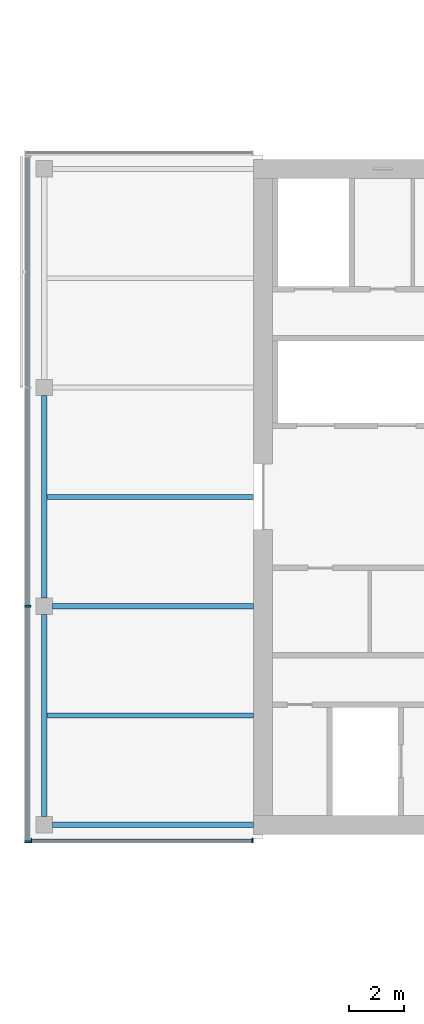
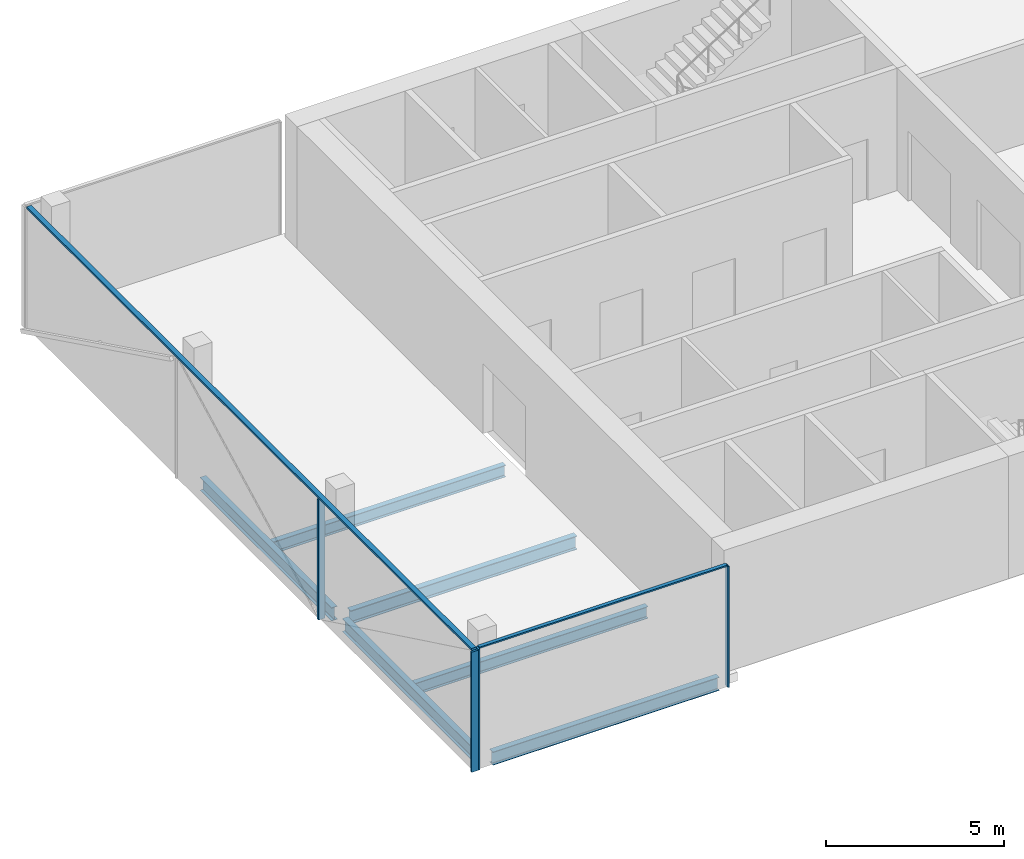
# One storey, part 3 of 22: 6 beams, 6 members, 2 elements without a shape of their own.
"""IFC4 building model written with IfcOpenShell, lengths in metres."""

from ifc_helpers import new_model, si_unit, direction, frame, origin, origin_2d, place, context, subcontext, project, spatial, rectangle, i_section, extrude, material, material_profile, profile_set, type_object, element, aggregate, save


model = new_model("IFC4")

# Units and contexts
model_context = context("Model", 3, precision=1e-05, world=origin(), true_north=direction((0.0, 1.0)))
body_context = subcontext(model_context, "Body", "Model", "MODEL_VIEW")
ifc_project = project(units=[si_unit("LENGTHUNIT", "METRE"), si_unit("AREAUNIT", "SQUARE_METRE"), si_unit("VOLUMEUNIT", "CUBIC_METRE"), si_unit("PLANEANGLEUNIT", "RADIAN"), si_unit("MASSUNIT", "GRAM", prefix="KILO")], contexts=[model_context])

# Site, building, storey
site_placement = place(None, origin())
site = spatial("IfcSite", under=ifc_project, at=site_placement, CompositionType="ELEMENT")
building_placement = place(site_placement, origin())
building = spatial("IfcBuilding", under=site, at=building_placement, Name="Crosswind Convention Tower", CompositionType="ELEMENT")
storey_placement = place(building_placement, frame((0.0, 0.0, 116.89990234375)))
storey = spatial("IfcBuildingStorey", under=building, at=storey_placement, Name="L23", CompositionType="ELEMENT", Elevation=116.89990234375)

# Beams
ifc_material_1 = material(Name="Steel S355", Category="steel")
ifc_material_profile_1 = material_profile(ifc_material_1, i_section(OverallWidth=0.18994140625, OverallDepth=0.45361328125, WebThickness=0.008544921875, FlangeThickness=0.0126953125, FilletRadius=0.01025390625, at=origin_2d()), Name="UB 457x191x67")
ifc_profile_set_1 = profile_set([ifc_material_profile_1], Name="Steel S355")
beam_type_1 = type_object("IfcBeamType", Name="Edge beam UB 457x191x67", PredefinedType="SPANDREL", material=ifc_profile_set_1)
for number, where, z_axis, x_axis, name in (
    (1, (89.0, 88.300048828125, -0.526611328125), (0.0, 1.0, 0.0), (-1.0, 0.0, 0.0), "B16 L23 edge beam 1"),
    (2, (89.0, 96.300048828125, -0.526611328125), (0.0, 1.0, 0.0), (-1.0, 0.0, 0.0), "B16 L23 edge beam 2"),
):
    element("IfcBeam", number, at=place(storey_placement, frame(where, z_axis=z_axis, x_axis=x_axis)), inside=storey, type_object=beam_type_1, Name=name, PredefinedType="SPANDREL", context=body_context, shape_type="SweptSolid", body=[
        extrude(i_section(OverallWidth=0.18994140625, OverallDepth=0.45361328125, WebThickness=0.008544921875, FlangeThickness=0.0126953125, FilletRadius=0.01025390625, at=origin_2d()), origin(), (0.0, 0.0, 1.0), 7.39990234375),
    ])
beam_1_placement = place(storey_placement, frame((89.300048828125, 88.0, -0.526611328125), z_axis=(1.0, 0.0, 0.0), x_axis=(0.0, 1.0, 0.0)))
element("IfcBeam", 3, at=beam_1_placement, inside=storey, type_object=beam_type_1, Name="B16 L23 edge beam 4", PredefinedType="SPANDREL", context=body_context, shape_type="SweptSolid", body=[
    extrude(i_section(OverallWidth=0.18994140625, OverallDepth=0.45361328125, WebThickness=0.008544921875, FlangeThickness=0.0126953125, FilletRadius=0.01025390625, at=origin_2d()), origin(), (0.0, 0.0, 1.0), 7.349853515625),
])
ifc_material_profile_2 = material_profile(ifc_material_1, i_section(OverallWidth=0.19189453125, OverallDepth=0.463623046875, WebThickness=0.010498046875, FlangeThickness=0.017578125, FilletRadius=0.01025390625, at=origin_2d()), Name="UB 457x191x90")
ifc_profile_set_2 = profile_set([ifc_material_profile_2], Name="Steel S355")
beam_type_2 = type_object("IfcBeamType", Name="Girder at core wall UB 457x191x90", PredefinedType="BEAM", material=ifc_profile_set_2)
beam_2_placement = place(storey_placement, frame((89.300048828125, 96.0, -0.53173828125), z_axis=(1.0, 0.0, 0.0), x_axis=(0.0, 1.0, 0.0)))
element("IfcBeam", 4, at=beam_2_placement, inside=storey, type_object=beam_type_2, Name="B24 L23 girder at core wall 1", PredefinedType="BEAM", context=body_context, shape_type="SweptSolid", body=[
    extrude(i_section(OverallWidth=0.19189453125, OverallDepth=0.463623046875, WebThickness=0.010498046875, FlangeThickness=0.017578125, FilletRadius=0.01025390625, at=origin_2d()), origin(), (0.0, 0.0, 1.0), 7.349853515625),
])

# Curtain wall, members
ifc_material_2 = material(Name="Aluminium unitised curtain wall", Category="aluminium")
curtain_wall_type_1 = type_object("IfcCurtainWallType", Name="CORE END SLOT WALL 160", PredefinedType="USERDEFINED", material=ifc_material_2)
curtain_wall_1_placement = place(storey_placement, origin())
curtain_wall_1 = element("IfcCurtainWall", 5, at=curtain_wall_1_placement, inside=storey, type_object=curtain_wall_type_1, Name="CW6 L23 W-S.1-1 slot", ObjectType="UNITISED", PredefinedType="USERDEFINED")
ifc_material_3 = material(Name="Aluminium mullion", Category="aluminium")
ifc_material_profile_3 = material_profile(ifc_material_3, rectangle(XDim=0.159912109375, YDim=0.050048828125, at=origin_2d()), Name="AL 160X50")
ifc_profile_set_3 = profile_set([ifc_material_profile_3], Name="Aluminium mullion")
member_type_1 = type_object("IfcMemberType", Name="MULLION 50X160", PredefinedType="MULLION", material=ifc_profile_set_3)
member_1_placement = place(storey_placement, frame((88.52490234375, 87.419921875, -0.2998046875), z_axis=(0.0, 0.0, 1.0), x_axis=(0.0, -1.0, 0.0)))
member_1 = element("IfcMember", 6, at=member_1_placement, type_object=member_type_1, Name="CW6 mullion 1", PredefinedType="MULLION", context=body_context, shape_type="SweptSolid", body=[
    extrude(rectangle(XDim=0.159912109375, YDim=0.050048828125, at=origin_2d()), origin(), (0.0, 0.0, 1.0), 4.14990234375),
])
member_2_placement = place(storey_placement, frame((96.625, 87.419921875, -0.2998046875), z_axis=(0.0, 0.0, 1.0), x_axis=(0.0, -1.0, 0.0)))
member_2 = element("IfcMember", 7, at=member_2_placement, type_object=member_type_1, Name="CW6 mullion 2", PredefinedType="MULLION", context=body_context, shape_type="SweptSolid", body=[
    extrude(rectangle(XDim=0.159912109375, YDim=0.050048828125, at=origin_2d()), origin(), (0.0, 0.0, 1.0), 4.14990234375),
])

curtain_wall_type_2 = type_object("IfcCurtainWallType", Name="OFFICE UNITISED WALL 220", PredefinedType="USERDEFINED", material=ifc_material_2)
curtain_wall_2_placement = place(storey_placement, origin())
curtain_wall_2 = element("IfcCurtainWall", 8, at=curtain_wall_2_placement, inside=storey, type_object=curtain_wall_type_2, Name="CW3 L23 W-TIP 1", ObjectType="UNITISED", PredefinedType="USERDEFINED")
ifc_material_profile_4 = material_profile(ifc_material_3, rectangle(XDim=0.219970703125, YDim=0.070068359375, at=origin_2d()), Name="AL 220X70")
ifc_profile_set_4 = profile_set([ifc_material_profile_4], Name="Aluminium mullion")
member_type_2 = type_object("IfcMemberType", Name="MULLION 70X220", PredefinedType="MULLION", material=ifc_profile_set_4)
member_3_placement = place(storey_placement, frame((88.389892578125, 96.0, -0.2998046875), z_axis=(0.0, 0.0, 1.0), x_axis=(-1.0, 0.0, 0.0)))
member_3 = element("IfcMember", 9, at=member_3_placement, type_object=member_type_2, Name="CW3 mullion 3", PredefinedType="MULLION", context=body_context, shape_type="SweptSolid", body=[
    extrude(rectangle(XDim=0.219970703125, YDim=0.070068359375, at=origin_2d()), origin(), (0.0, 0.0, 1.0), 4.1298828125),
])
member_4_placement = place(storey_placement, frame((88.389892578125, 87.375, -0.2998046875), z_axis=(0.0, 0.0, 1.0), x_axis=(-1.0, 0.0, 0.0)))
member_4 = element("IfcMember", 10, at=member_4_placement, type_object=member_type_2, Name="CW3 mullion 4", PredefinedType="MULLION", context=body_context, shape_type="SweptSolid", body=[
    extrude(rectangle(XDim=0.219970703125, YDim=0.070068359375, at=origin_2d()), origin(), (0.0, 0.0, 1.0), 4.1298828125),
])

# Beams
ifc_material_profile_5 = material_profile(ifc_material_1, i_section(OverallWidth=0.177734375, OverallDepth=0.406494140625, WebThickness=0.0078125, FlangeThickness=0.0126953125, FilletRadius=0.01025390625, at=origin_2d()), Name="UB 406x178x60")
ifc_profile_set_5 = profile_set([ifc_material_profile_5], Name="Steel S355")
beam_type_3 = type_object("IfcBeamType", Name="Secondary beam UB 406x178x60", PredefinedType="JOIST", material=ifc_profile_set_5)
for number, where, z_axis, x_axis, name in (
    (11, (89.094970703125, 92.0, -0.503173828125), (1.0, 0.0, 0.0), (0.0, 1.0, 0.0), "B10 L23 secondary beam 1"),
    (12, (89.094970703125, 100.0, -0.503173828125), (1.0, 0.0, 0.0), (0.0, 1.0, 0.0), "B10 L23 secondary beam 2"),
):
    element("IfcBeam", number, at=place(storey_placement, frame(where, z_axis=z_axis, x_axis=x_axis)), inside=storey, type_object=beam_type_3, Name=name, PredefinedType="JOIST", context=body_context, shape_type="SweptSolid", body=[
        extrude(i_section(OverallWidth=0.177734375, OverallDepth=0.406494140625, WebThickness=0.0078125, FlangeThickness=0.0126953125, FilletRadius=0.01025390625, at=origin_2d()), origin(), (0.0, 0.0, 1.0), 7.554931640625),
    ])

# Member
ifc_material_4 = material(Name="Aluminium transom", Category="aluminium")
ifc_material_profile_6 = material_profile(ifc_material_4, rectangle(XDim=0.1201171875, YDim=0.050048828125, at=origin_2d()), Name="AL 120X50")
ifc_profile_set_6 = profile_set([ifc_material_profile_6], Name="Aluminium transom")
member_type_3 = type_object("IfcMemberType", Name="TRANSOM 50X120", PredefinedType="USERDEFINED", material=ifc_profile_set_6)
member_5_placement = place(storey_placement, frame((88.550048828125, 87.419921875, 3.875), z_axis=(1.0, 0.0, 0.0), x_axis=(0.0, 1.0, 0.0)))
member_5 = element("IfcMember", 13, at=member_5_placement, type_object=member_type_3, Name="CW6 transom", ObjectType="TRANSOM", PredefinedType="USERDEFINED", context=body_context, shape_type="SweptSolid", body=[
    extrude(rectangle(XDim=0.1201171875, YDim=0.050048828125, at=origin_2d()), origin(), (0.0, 0.0, 1.0), 8.050048828125),
])

aggregate(curtain_wall_1, [member_1, member_2, member_5])

ifc_material_profile_7 = material_profile(ifc_material_4, rectangle(XDim=0.159912109375, YDim=0.070068359375, at=origin_2d()), Name="AL 160X70")
ifc_profile_set_7 = profile_set([ifc_material_profile_7], Name="Aluminium transom")
member_type_4 = type_object("IfcMemberType", Name="TRANSOM 70X160", PredefinedType="USERDEFINED", material=ifc_profile_set_7)
member_6_placement = place(storey_placement, frame((88.389892578125, 112.429931640625, 3.864990234375), z_axis=(0.0, -1.0, 0.0), x_axis=(1.0, 0.0, 0.0)))
member_6 = element("IfcMember", 14, at=member_6_placement, type_object=member_type_4, Name="CW3 transom", ObjectType="TRANSOM", PredefinedType="USERDEFINED", context=body_context, shape_type="SweptSolid", body=[
    extrude(rectangle(XDim=0.159912109375, YDim=0.070068359375, at=origin_2d()), origin(), (0.0, 0.0, 1.0), 25.02001953125),
])

aggregate(curtain_wall_2, [member_3, member_4, member_6])

save(model, "model.ifc")
